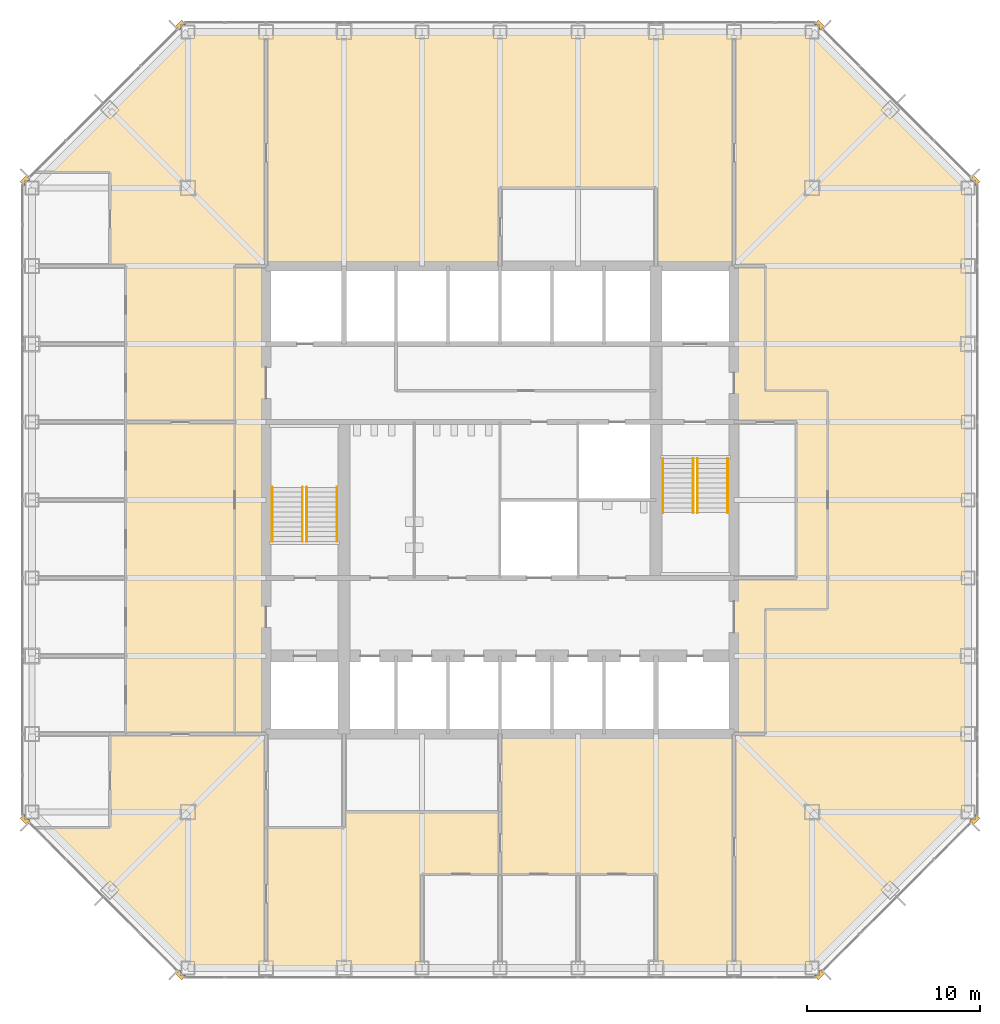
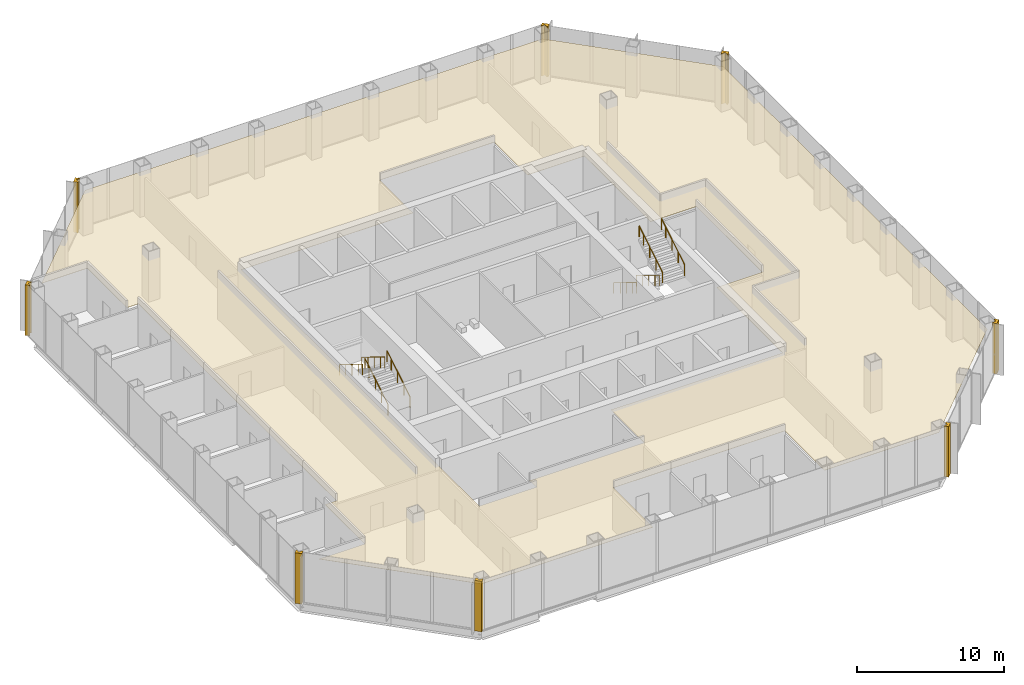
# One storey, part 11 of 12: 9 coverings, 8 railings.
"""IFC4 building model written with IfcOpenShell, lengths in metres."""

from ifc_helpers import new_model, si_unit, direction, frame, origin, origin_2d, place, context, subcontext, project, spatial, polyline, circle, outline, extrude, material, layer, layer_set, type_object, element, save


model = new_model("IFC4")

# Units and contexts
model_context = context("Model", 3, precision=1e-05, world=origin(), true_north=direction((0.0, 1.0)))
body_context = subcontext(model_context, "Body", "Model", "MODEL_VIEW")
ifc_project = project(units=[si_unit("LENGTHUNIT", "METRE"), si_unit("AREAUNIT", "SQUARE_METRE"), si_unit("VOLUMEUNIT", "CUBIC_METRE"), si_unit("PLANEANGLEUNIT", "RADIAN"), si_unit("MASSUNIT", "GRAM", prefix="KILO")], contexts=[model_context])

# Site, building, storey
site_placement = place(None, origin())
site = spatial("IfcSite", under=ifc_project, at=site_placement, CompositionType="ELEMENT")
building_placement = place(site_placement, origin())
building = spatial("IfcBuilding", under=site, at=building_placement, Name="Corais Broadcast Tower", CompositionType="ELEMENT")
storey_placement = place(building_placement, frame((0.0, 0.0, 92.0)))
storey = spatial("IfcBuildingStorey", under=building, at=storey_placement, Name="L20", CompositionType="ELEMENT", Elevation=92.0)

# Railings
ifc_material_1 = material(Name="Stainless steel handrail", Category="steel")
railing_type = type_object("IfcRailingType", Name="Handrail 920", PredefinedType="HANDRAIL", material=ifc_material_1)
for number, where, name in (
    (1, (17.60009765625, 24.60009765625, 0.175048828125), "HR1 L20"),
    (2, (15.85009765625, 24.60009765625, 0.175048828125), "HR1 L20"),
):
    element("IfcRailing", number, at=place(storey_placement, frame(where)), inside=storey, type_object=railing_type, Name=name, PredefinedType="HANDRAIL", context=body_context, shape_type="SweptSolid", body=[
        extrude(circle(Radius=0.02392578125, at=origin_2d()), frame((0.0, 0.0, 0.89599609375), z_axis=(0.0, 0.852166034122, 0.523271488128), x_axis=(-1.0, 0.0, 0.0)), (0.0, 0.0, 1.0), 3.678955078125),
        extrude(circle(Radius=0.02099609375, at=origin_2d()), origin(), (0.0, 0.0, 1.0), 0.871826171875),
        extrude(circle(Radius=0.02099609375, at=origin_2d()), frame((0.0, 0.85498046875, 0.52490234375)), (0.0, 0.0, 1.0), 0.871826171875),
        extrude(circle(Radius=0.02099609375, at=origin_2d()), frame((0.0, 1.7099609375, 1.050048828125)), (0.0, 0.0, 1.0), 0.871826171875),
        extrude(circle(Radius=0.02099609375, at=origin_2d()), frame((0.0, 2.56494140625, 1.574951171875)), (0.0, 0.0, 1.0), 0.871826171875),
        extrude(circle(Radius=0.02099609375, at=origin_2d()), frame((0.0, 3.135009765625, 1.925048828125)), (0.0, 0.0, 1.0), 0.871826171875),
    ])
for number, where, name in (
    (3, (13.85009765625, 27.735107421875, 2.27490234375), "HR1 L20"),
    (4, (15.60009765625, 27.735107421875, 2.27490234375), "HR1 L20"),
    (5, (36.39990234375, 29.39990234375, 0.175048828125), "HR1 L20"),
    (6, (38.14990234375, 29.39990234375, 0.175048828125), "HR1 L20"),
):
    element("IfcRailing", number, at=place(storey_placement, frame(where)), inside=storey, type_object=railing_type, Name=name, PredefinedType="HANDRAIL", context=body_context, shape_type="SweptSolid", body=[
        extrude(circle(Radius=0.02392578125, at=origin_2d()), frame((0.0, 0.0, 0.89599609375), z_axis=(0.0, -0.852166034122, 0.523271488128), x_axis=(1.0, 0.0, 0.0)), (0.0, 0.0, 1.0), 3.678955078125),
        extrude(circle(Radius=0.02099609375, at=origin_2d()), origin(), (0.0, 0.0, 1.0), 0.871826171875),
        extrude(circle(Radius=0.02099609375, at=origin_2d()), frame((0.0, -0.85498046875, 0.52490234375)), (0.0, 0.0, 1.0), 0.871826171875),
        extrude(circle(Radius=0.02099609375, at=origin_2d()), frame((0.0, -1.7099609375, 1.050048828125)), (0.0, 0.0, 1.0), 0.871826171875),
        extrude(circle(Radius=0.02099609375, at=origin_2d()), frame((0.0, -2.56494140625, 1.574951171875)), (0.0, 0.0, 1.0), 0.871826171875),
        extrude(circle(Radius=0.02099609375, at=origin_2d()), frame((0.0, -3.135009765625, 1.925048828125)), (0.0, 0.0, 1.0), 0.871826171875),
    ])
for number, where, name in (
    (7, (40.14990234375, 26.264892578125, 2.27490234375), "HR1 L20"),
    (8, (38.39990234375, 26.264892578125, 2.27490234375), "HR1 L20"),
):
    element("IfcRailing", number, at=place(storey_placement, frame(where)), inside=storey, type_object=railing_type, Name=name, PredefinedType="HANDRAIL", context=body_context, shape_type="SweptSolid", body=[
        extrude(circle(Radius=0.02392578125, at=origin_2d()), frame((0.0, 0.0, 0.89599609375), z_axis=(0.0, 0.852166034122, 0.523271488128), x_axis=(-1.0, 0.0, 0.0)), (0.0, 0.0, 1.0), 3.678955078125),
        extrude(circle(Radius=0.02099609375, at=origin_2d()), origin(), (0.0, 0.0, 1.0), 0.871826171875),
        extrude(circle(Radius=0.02099609375, at=origin_2d()), frame((0.0, 0.85498046875, 0.52490234375)), (0.0, 0.0, 1.0), 0.871826171875),
        extrude(circle(Radius=0.02099609375, at=origin_2d()), frame((0.0, 1.7099609375, 1.050048828125)), (0.0, 0.0, 1.0), 0.871826171875),
        extrude(circle(Radius=0.02099609375, at=origin_2d()), frame((0.0, 2.56494140625, 1.574951171875)), (0.0, 0.0, 1.0), 0.871826171875),
        extrude(circle(Radius=0.02099609375, at=origin_2d()), frame((0.0, 3.135009765625, 1.925048828125)), (0.0, 0.0, 1.0), 0.871826171875),
    ])

# Coverings
ifc_material_2 = material(Name="Granite stone cladding", Category="masonry")
ifc_layer_1 = layer(ifc_material_2, 0.324951171875)
ifc_layer_set_1 = layer_set([ifc_layer_1], Name="Granite stone cladding")
covering_type_1 = type_object("IfcCoveringType", Name="Stone corner pier cladding 500x325", PredefinedType="CLADDING", material=ifc_layer_set_1)
covering_1_placement = place(storey_placement, origin())
element("IfcCovering", 9, at=covering_1_placement, inside=storey, type_object=covering_type_1, Name="SP1 stone corner pier L20", PredefinedType="CLADDING", context=body_context, shape_type="SweptSolid", body=[
    extrude(outline(polyline([(8.860595703125, -0.461669921875), (8.823974609375, -0.425048828125), (8.574951171875, -0.425048828125), (8.574951171875, -0.176025390625), (8.507080078125, -0.108154296875), (8.277099609375, -0.337890625), (8.630859375, -0.69140625), (8.860595703125, -0.461669921875)])), origin(), (0.0, 0.0, 1.0), 4.199951171875),
])
covering_2_placement = place(storey_placement, origin())
element("IfcCovering", 10, at=covering_2_placement, inside=storey, type_object=covering_type_1, Name="SP1 stone corner pier L20", PredefinedType="CLADDING", context=body_context, shape_type="SweptSolid", body=[
    extrude(outline(polyline([(-0.425048828125, 8.823974609375), (-0.461669921875, 8.860595703125), (-0.69140625, 8.630859375), (-0.337890625, 8.277099609375), (-0.108154296875, 8.507080078125), (-0.176025390625, 8.574951171875), (-0.425048828125, 8.574951171875), (-0.425048828125, 8.823974609375)])), origin(), (0.0, 0.0, 1.0), 4.199951171875),
])
covering_3_placement = place(storey_placement, origin())
element("IfcCovering", 11, at=covering_3_placement, inside=storey, type_object=covering_type_1, Name="SP1 stone corner pier L20", PredefinedType="CLADDING", context=body_context, shape_type="SweptSolid", body=[
    extrude(outline(polyline([(-0.461669921875, 45.139404296875), (-0.425048828125, 45.176025390625), (-0.425048828125, 45.425048828125), (-0.176025390625, 45.425048828125), (-0.108154296875, 45.492919921875), (-0.337890625, 45.722900390625), (-0.69140625, 45.369140625), (-0.461669921875, 45.139404296875)])), origin(), (0.0, 0.0, 1.0), 4.199951171875),
])
covering_4_placement = place(storey_placement, origin())
element("IfcCovering", 12, at=covering_4_placement, inside=storey, type_object=covering_type_1, Name="SP1 stone corner pier L20", PredefinedType="CLADDING", context=body_context, shape_type="SweptSolid", body=[
    extrude(outline(polyline([(8.823974609375, 54.425048828125), (8.860595703125, 54.461669921875), (8.630859375, 54.69140625), (8.277099609375, 54.337890625), (8.507080078125, 54.108154296875), (8.574951171875, 54.176025390625), (8.574951171875, 54.425048828125), (8.823974609375, 54.425048828125)])), origin(), (0.0, 0.0, 1.0), 4.199951171875),
])
covering_5_placement = place(storey_placement, origin())
element("IfcCovering", 13, at=covering_5_placement, inside=storey, type_object=covering_type_1, Name="SP1 stone corner pier L20", PredefinedType="CLADDING", context=body_context, shape_type="SweptSolid", body=[
    extrude(outline(polyline([(45.139404296875, 54.461669921875), (45.176025390625, 54.425048828125), (45.425048828125, 54.425048828125), (45.425048828125, 54.176025390625), (45.492919921875, 54.108154296875), (45.722900390625, 54.337890625), (45.369140625, 54.69140625), (45.139404296875, 54.461669921875)])), origin(), (0.0, 0.0, 1.0), 4.199951171875),
])
covering_6_placement = place(storey_placement, origin())
element("IfcCovering", 14, at=covering_6_placement, inside=storey, type_object=covering_type_1, Name="SP1 stone corner pier L20", PredefinedType="CLADDING", context=body_context, shape_type="SweptSolid", body=[
    extrude(outline(polyline([(54.425048828125, 45.176025390625), (54.461669921875, 45.139404296875), (54.69140625, 45.369140625), (54.337890625, 45.722900390625), (54.108154296875, 45.492919921875), (54.176025390625, 45.425048828125), (54.425048828125, 45.425048828125), (54.425048828125, 45.176025390625)])), origin(), (0.0, 0.0, 1.0), 4.199951171875),
])
covering_7_placement = place(storey_placement, origin())
element("IfcCovering", 15, at=covering_7_placement, inside=storey, type_object=covering_type_1, Name="SP1 stone corner pier L20", PredefinedType="CLADDING", context=body_context, shape_type="SweptSolid", body=[
    extrude(outline(polyline([(54.461669921875, 8.860595703125), (54.425048828125, 8.823974609375), (54.425048828125, 8.574951171875), (54.176025390625, 8.574951171875), (54.108154296875, 8.507080078125), (54.337890625, 8.277099609375), (54.69140625, 8.630859375), (54.461669921875, 8.860595703125)])), origin(), (0.0, 0.0, 1.0), 4.199951171875),
])
covering_8_placement = place(storey_placement, origin())
element("IfcCovering", 16, at=covering_8_placement, inside=storey, type_object=covering_type_1, Name="SP1 stone corner pier L20", PredefinedType="CLADDING", context=body_context, shape_type="SweptSolid", body=[
    extrude(outline(polyline([(45.176025390625, -0.425048828125), (45.139404296875, -0.461669921875), (45.369140625, -0.69140625), (45.722900390625, -0.337890625), (45.492919921875, -0.108154296875), (45.425048828125, -0.176025390625), (45.425048828125, -0.425048828125), (45.176025390625, -0.425048828125)])), origin(), (0.0, 0.0, 1.0), 4.199951171875),
])
ifc_material_3 = material(Name="Mineral fibre ceiling tile", Category="mineral")
ifc_layer_2 = layer(ifc_material_3, 0.02001953125)
ifc_layer_set_2 = layer_set([ifc_layer_2], Name="Mineral fibre ceiling tile")
covering_type_2 = type_object("IfcCoveringType", Name="Suspended ceiling", PredefinedType="CEILING", material=ifc_layer_set_2)
covering_9_placement = place(storey_placement, frame((0.0, 0.0, 3.419921875)))
element("IfcCovering", 17, at=covering_9_placement, inside=storey, type_object=covering_type_2, Name="CE1 ceiling L20", PredefinedType="CEILING", context=body_context, shape_type="SweptSolid", body=[
    extrude(outline(polyline([(9.0, 0.0), (0.89990234375, 8.10009765625), (4.5, 8.10009765625), (4.5, 13.5), (5.39990234375, 13.5), (5.39990234375, 40.5), (4.5, 40.5), (4.5, 45.89990234375), (0.89990234375, 45.89990234375), (9.0, 54.0), (45.0, 54.0), (54.0, 45.0), (54.0, 9.0), (45.0, 0.0), (36.0, 0.0), (36.0, 5.39990234375), (22.5, 5.39990234375), (22.5, 0.0), (9.0, 0.0)]), holes=[polyline([(13.5, 8.10009765625), (18.0, 8.10009765625), (18.0, 9.0), (27.0, 9.0), (27.0, 13.5), (40.5, 13.5), (40.5, 22.5), (44.10009765625, 22.5), (44.10009765625, 31.5), (40.5, 31.5), (40.5, 40.5), (36.0, 40.5), (36.0, 45.0), (27.0, 45.0), (27.0, 40.5), (13.5, 40.5), (13.5, 8.10009765625)])]), origin(), (0.0, 0.0, 1.0), 0.02001953125),
])

save(model, "model.ifc")
